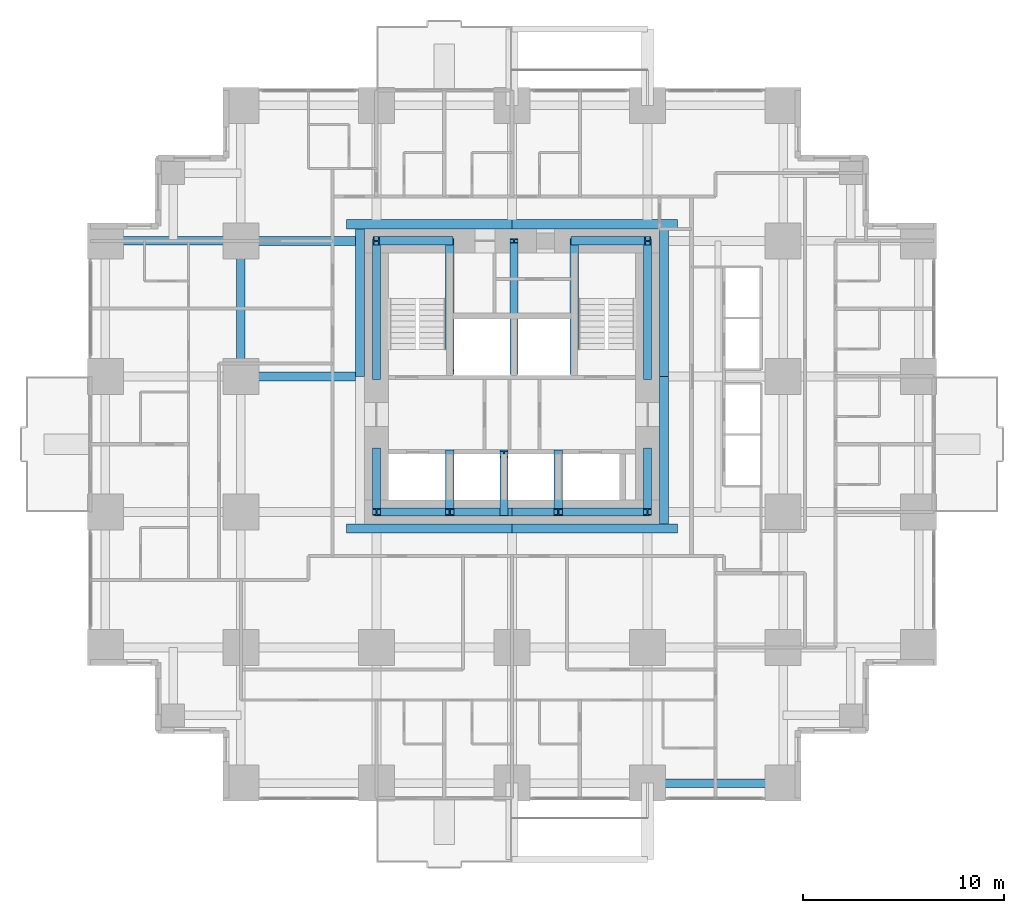
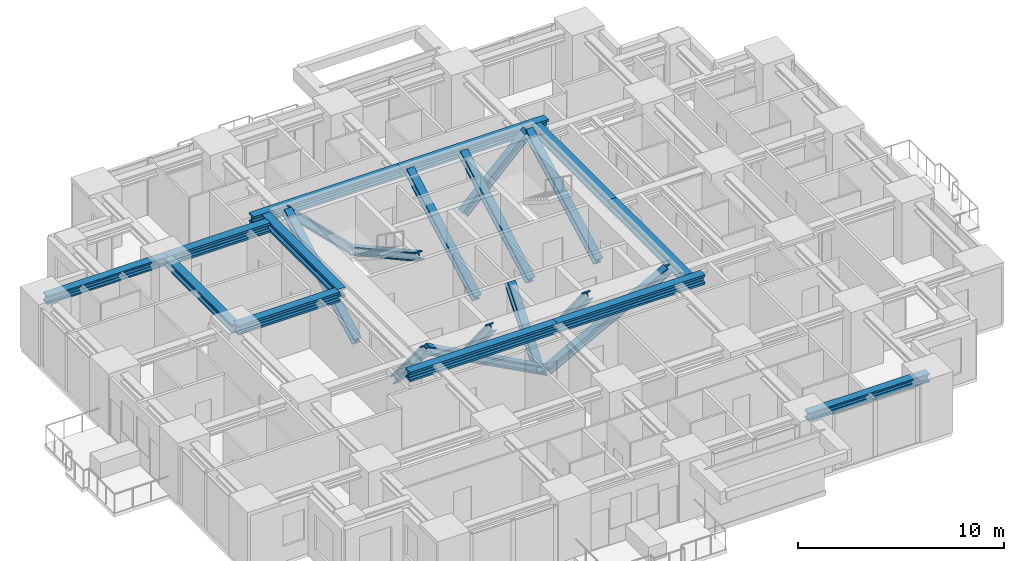
# One storey, part 3 of 13: 14 members, 12 beams.
"""IFC4 building model written with IfcOpenShell, lengths in metres."""

from ifc_helpers import new_model, si_unit, direction, frame, origin, origin_2d, place, context, subcontext, project, spatial, i_section, extrude, material, material_profile, profile_set, type_object, element, save


model = new_model("IFC4")

# Units and contexts
model_context = context("Model", 3, precision=1e-05, world=origin(), true_north=direction((0.0, 1.0)))
body_context = subcontext(model_context, "Body", "Model", "MODEL_VIEW")
ifc_project = project(units=[si_unit("LENGTHUNIT", "METRE"), si_unit("AREAUNIT", "SQUARE_METRE"), si_unit("VOLUMEUNIT", "CUBIC_METRE"), si_unit("PLANEANGLEUNIT", "RADIAN"), si_unit("MASSUNIT", "GRAM", prefix="KILO")], contexts=[model_context])

# Site, building, storey
site_placement = place(None, origin())
site = spatial("IfcSite", under=ifc_project, at=site_placement, CompositionType="ELEMENT")
building_placement = place(site_placement, origin())
building = spatial("IfcBuilding", under=site, at=building_placement, Name="Nyansa Garden Tower", CompositionType="ELEMENT")
storey_placement = place(building_placement, frame((0.0, 0.0, 101.699951171875)))
storey = spatial("IfcBuildingStorey", under=building, at=storey_placement, Name="L27", CompositionType="ELEMENT", Elevation=101.699951171875)

# Members
ifc_material_1 = material(Name="Steel S355", Category="steel")
ifc_material_profile_1 = material_profile(ifc_material_1, i_section(OverallWidth=0.41796875, OverallDepth=0.455078125, WebThickness=0.0419921875, FlangeThickness=0.067626953125, FilletRadius=0.014892578125, at=origin_2d()), Name="HD 400x463")
ifc_profile_set_1 = profile_set([ifc_material_profile_1], Name="Steel S355")
member_type = type_object("IfcMemberType", Name="Perimeter brace HD 400x463", PredefinedType="BRACE", material=ifc_profile_set_1)
for number, where, z_axis, x_axis, name in (
    (1, (20.25, 13.5, 0.0), (-0.882347640589, 0.0, 0.47059817376), (0.0, -1.0, 0.0), "Core brace CS1 L27"),
    (2, (20.25, 13.5, 0.0), (0.882347640589, 0.0, 0.47059817376), (0.0, 1.0, 0.0), "Core brace CS2 L27"),
):
    element("IfcMember", number, at=place(storey_placement, frame(where, z_axis=z_axis, x_axis=x_axis)), inside=storey, type_object=member_type, Name=name, PredefinedType="BRACE", context=body_context, shape_type="SweptSolid", body=[
        extrude(i_section(OverallWidth=0.41796875, OverallDepth=0.455078125, WebThickness=0.0419921875, FlangeThickness=0.067626953125, FilletRadius=0.014892578125, at=origin_2d()), origin(), (0.0, 0.0, 1.0), 7.650146484375),
    ])
for number, where, z_axis, x_axis, name in (
    (3, (17.14990234375, 27.0, 0.0), (-0.711947531702, 0.0, 0.702232662373), (0.0, -1.0, 0.0), "Core brace CN3 L27"),
    (4, (23.35009765625, 27.0, 0.0), (0.711947531702, 0.0, 0.702232662373), (0.0, 1.0, 0.0), "Core brace CN4 L27"),
):
    element("IfcMember", number, at=place(storey_placement, frame(where, z_axis=z_axis, x_axis=x_axis)), inside=storey, type_object=member_type, Name=name, PredefinedType="BRACE", context=body_context, shape_type="SweptSolid", body=[
        extrude(i_section(OverallWidth=0.41796875, OverallDepth=0.455078125, WebThickness=0.0419921875, FlangeThickness=0.067626953125, FilletRadius=0.014892578125, at=origin_2d()), origin(), (0.0, 0.0, 1.0), 5.126708984375),
    ])
member_1_placement = place(storey_placement, frame((13.5, 16.5, 0.0), z_axis=(0.0, -0.640174150918, 0.768229820104), x_axis=(1.0, 0.0, 0.0)))
element("IfcMember", 5, at=member_1_placement, inside=storey, type_object=member_type, Name="Core brace CW5 L27", PredefinedType="BRACE", context=body_context, shape_type="SweptSolid", body=[
    extrude(i_section(OverallWidth=0.41796875, OverallDepth=0.455078125, WebThickness=0.0419921875, FlangeThickness=0.067626953125, FilletRadius=0.014892578125, at=origin_2d()), origin(), (0.0, 0.0, 1.0), 4.686279296875),
])
member_2_placement = place(storey_placement, frame((13.5, 20.199951171875, 0.0), z_axis=(0.0, 0.883784057226, 0.467895009796), x_axis=(-1.0, 0.0, 0.0)))
element("IfcMember", 6, at=member_2_placement, inside=storey, type_object=member_type, Name="Core brace CW6 L27", PredefinedType="BRACE", context=body_context, shape_type="SweptSolid", body=[
    extrude(i_section(OverallWidth=0.41796875, OverallDepth=0.455078125, WebThickness=0.0419921875, FlangeThickness=0.067626953125, FilletRadius=0.014892578125, at=origin_2d()), origin(), (0.0, 0.0, 1.0), 7.6943359375),
])
member_3_placement = place(storey_placement, frame((27.0, 16.5, 0.0), z_axis=(0.0, -0.640174150918, 0.768229820104), x_axis=(1.0, 0.0, 0.0)))
element("IfcMember", 7, at=member_3_placement, inside=storey, type_object=member_type, Name="Core brace CE7 L27", PredefinedType="BRACE", context=body_context, shape_type="SweptSolid", body=[
    extrude(i_section(OverallWidth=0.41796875, OverallDepth=0.455078125, WebThickness=0.0419921875, FlangeThickness=0.067626953125, FilletRadius=0.014892578125, at=origin_2d()), origin(), (0.0, 0.0, 1.0), 4.686279296875),
])
member_4_placement = place(storey_placement, frame((27.0, 20.199951171875, 0.0), z_axis=(0.0, 0.883784057226, 0.467895009796), x_axis=(-1.0, 0.0, 0.0)))
element("IfcMember", 8, at=member_4_placement, inside=storey, type_object=member_type, Name="Core brace CE8 L27", PredefinedType="BRACE", context=body_context, shape_type="SweptSolid", body=[
    extrude(i_section(OverallWidth=0.41796875, OverallDepth=0.455078125, WebThickness=0.0419921875, FlangeThickness=0.067626953125, FilletRadius=0.014892578125, at=origin_2d()), origin(), (0.0, 0.0, 1.0), 7.6943359375),
])
for number, where, z_axis, x_axis, name in (
    (9, (17.14990234375, 27.0, 0.0), (0.0, -0.876353113771, 0.481669201822), (1.0, 0.0, 0.0), "Core brace CWS9 L27"),
    (10, (23.35009765625, 20.449951171875, 0.0), (0.0, 0.876353113771, 0.481669201822), (-1.0, 0.0, 0.0), "Core brace CES10 L27"),
):
    element("IfcMember", number, at=place(storey_placement, frame(where, z_axis=z_axis, x_axis=x_axis)), inside=storey, type_object=member_type, Name=name, PredefinedType="BRACE", context=body_context, shape_type="SweptSolid", body=[
        extrude(i_section(OverallWidth=0.41796875, OverallDepth=0.455078125, WebThickness=0.0419921875, FlangeThickness=0.067626953125, FilletRadius=0.014892578125, at=origin_2d()), origin(), (0.0, 0.0, 1.0), 7.47412109375),
    ])
for number, where, z_axis, x_axis, name in (
    (11, (17.14990234375, 16.39990234375, 0.0), (0.0, -0.627306405886, 0.778772542617), (1.0, 0.0, 0.0), "Core brace CSW11 L27"),
    (12, (19.85009765625, 13.5, 0.0), (0.0, 0.627306405886, 0.778772542617), (-1.0, 0.0, 0.0), "Core brace CSW12 L27"),
    (13, (22.550048828125, 16.39990234375, 0.0), (0.0, -0.627306405886, 0.778772542617), (1.0, 0.0, 0.0), "Core brace CSW13 L27"),
):
    element("IfcMember", number, at=place(storey_placement, frame(where, z_axis=z_axis, x_axis=x_axis)), inside=storey, type_object=member_type, Name=name, PredefinedType="BRACE", context=body_context, shape_type="SweptSolid", body=[
        extrude(i_section(OverallWidth=0.41796875, OverallDepth=0.455078125, WebThickness=0.0419921875, FlangeThickness=0.067626953125, FilletRadius=0.014892578125, at=origin_2d()), origin(), (0.0, 0.0, 1.0), 4.622802734375),
    ])
member_5_placement = place(storey_placement, frame((20.35009765625, 20.449951171875, 0.0), z_axis=(0.0, 0.876353113771, 0.481669201822), x_axis=(-1.0, 0.0, 0.0)))
element("IfcMember", 14, at=member_5_placement, inside=storey, type_object=member_type, Name="Core brace CNW14 L27", PredefinedType="BRACE", context=body_context, shape_type="SweptSolid", body=[
    extrude(i_section(OverallWidth=0.41796875, OverallDepth=0.455078125, WebThickness=0.0419921875, FlangeThickness=0.067626953125, FilletRadius=0.014892578125, at=origin_2d()), origin(), (0.0, 0.0, 1.0), 7.47412109375),
])

# Beams
ifc_material_2 = material(Name="Steel S355", Category="steel")
ifc_material_profile_2 = material_profile(ifc_material_2, i_section(OverallWidth=0.431884765625, OverallDepth=0.498046875, WebThickness=0.0556640625, FlangeThickness=0.0888671875, FilletRadius=0.014892578125, at=origin_2d()), Name="HD 400x744")
ifc_profile_set_2 = profile_set([ifc_material_profile_2], Name="Steel S355")
beam_type_1 = type_object("IfcBeamType", Name="Steel beam SBB1-744 HD 400x744", PredefinedType="BEAM", material=ifc_profile_set_2)
for number, where, z_axis, x_axis, name in (
    (15, (0.0, 27.0, 3.1259765625), (1.0, 0.0, 0.0), (0.0, 1.0, 0.0), "Steel beam 2/H-3/H L28"),
    (16, (6.75, 20.25, 3.1259765625), (0.0, 1.0, 0.0), (-1.0, 0.0, 0.0), "Steel beam 3/G-3/H L28"),
):
    element("IfcBeam", number, at=place(storey_placement, frame(where, z_axis=z_axis, x_axis=x_axis)), inside=storey, type_object=beam_type_1, Name=name, PredefinedType="BEAM", context=body_context, shape_type="SweptSolid", body=[
        extrude(i_section(OverallWidth=0.431884765625, OverallDepth=0.498046875, WebThickness=0.0556640625, FlangeThickness=0.0888671875, FilletRadius=0.014892578125, at=origin_2d()), origin(), (0.0, 0.0, 1.0), 6.75),
    ])
ifc_material_3 = material(Name="Steel S355", Category="steel")
ifc_material_profile_3 = material_profile(ifc_material_3, i_section(OverallWidth=0.4541015625, OverallDepth=0.569091796875, WebThickness=0.077880859375, FlangeThickness=0.125, FilletRadius=0.014892578125, at=origin_2d()), Name="HD 400x1086")
ifc_profile_set_3 = profile_set([ifc_material_profile_3], Name="Steel S355")
beam_type_2 = type_object("IfcBeamType", Name="Steel beam SCL-1086 HD 400x1086", PredefinedType="BEAM", material=ifc_profile_set_3)
for number, where, z_axis, x_axis, name in (
    (17, (6.75, 20.25, 3.090576171875), (1.0, 0.0, 0.0), (0.0, 1.0, 0.0), "Steel beam 3/G-12.450/G L28"),
    (18, (6.75, 27.0, 3.090576171875), (1.0, 0.0, 0.0), (0.0, 1.0, 0.0), "Steel beam 3/H-12.450/H L28"),
):
    element("IfcBeam", number, at=place(storey_placement, frame(where, z_axis=z_axis, x_axis=x_axis)), inside=storey, type_object=beam_type_2, Name=name, PredefinedType="BEAM", context=body_context, shape_type="SweptSolid", body=[
        extrude(i_section(OverallWidth=0.4541015625, OverallDepth=0.569091796875, WebThickness=0.077880859375, FlangeThickness=0.125, FilletRadius=0.014892578125, at=origin_2d()), origin(), (0.0, 0.0, 1.0), 5.699951171875),
    ])
for number, where, z_axis, x_axis, name in (
    (19, (12.0, 12.673095703125, 3.090576171875), (1.0, 0.0, 0.0), (0.0, 1.0, 0.0), "Steel core ledger beam S.1 L28"),
    (20, (20.25, 12.673095703125, 3.090576171875), (1.0, 0.0, 0.0), (0.0, 1.0, 0.0), "Steel core ledger beam S.2 L28"),
):
    element("IfcBeam", number, at=place(storey_placement, frame(where, z_axis=z_axis, x_axis=x_axis)), inside=storey, type_object=beam_type_2, Name=name, PredefinedType="BEAM", context=body_context, shape_type="SweptSolid", body=[
        extrude(i_section(OverallWidth=0.4541015625, OverallDepth=0.569091796875, WebThickness=0.077880859375, FlangeThickness=0.125, FilletRadius=0.014892578125, at=origin_2d()), origin(), (0.0, 0.0, 1.0), 8.25),
    ])
for number, where, z_axis, x_axis, name in (
    (21, (27.826904296875, 12.89990234375, 3.090576171875), (0.0, 1.0, 0.0), (-1.0, 0.0, 0.0), "Steel core ledger beam E.1 L28"),
    (22, (27.826904296875, 20.25, 3.090576171875), (0.0, 1.0, 0.0), (-1.0, 0.0, 0.0), "Steel core ledger beam E.2 L28"),
):
    element("IfcBeam", number, at=place(storey_placement, frame(where, z_axis=z_axis, x_axis=x_axis)), inside=storey, type_object=beam_type_2, Name=name, PredefinedType="BEAM", context=body_context, shape_type="SweptSolid", body=[
        extrude(i_section(OverallWidth=0.4541015625, OverallDepth=0.569091796875, WebThickness=0.077880859375, FlangeThickness=0.125, FilletRadius=0.014892578125, at=origin_2d()), origin(), (0.0, 0.0, 1.0), 7.35009765625),
    ])
for number, where, z_axis, x_axis, name in (
    (23, (28.5, 27.826904296875, 3.090576171875), (-1.0, 0.0, 0.0), (0.0, -1.0, 0.0), "Steel core ledger beam N.1 L28"),
    (24, (20.25, 27.826904296875, 3.090576171875), (-1.0, 0.0, 0.0), (0.0, -1.0, 0.0), "Steel core ledger beam N.2 L28"),
):
    element("IfcBeam", number, at=place(storey_placement, frame(where, z_axis=z_axis, x_axis=x_axis)), inside=storey, type_object=beam_type_2, Name=name, PredefinedType="BEAM", context=body_context, shape_type="SweptSolid", body=[
        extrude(i_section(OverallWidth=0.4541015625, OverallDepth=0.569091796875, WebThickness=0.077880859375, FlangeThickness=0.125, FilletRadius=0.014892578125, at=origin_2d()), origin(), (0.0, 0.0, 1.0), 8.25),
    ])
beam_1_placement = place(storey_placement, frame((12.673095703125, 27.60009765625, 3.090576171875), z_axis=(0.0, -1.0, 0.0), x_axis=(1.0, 0.0, 0.0)))
element("IfcBeam", 25, at=beam_1_placement, inside=storey, type_object=beam_type_2, Name="Steel core ledger beam W.1 L28", PredefinedType="BEAM", context=body_context, shape_type="SweptSolid", body=[
    extrude(i_section(OverallWidth=0.4541015625, OverallDepth=0.569091796875, WebThickness=0.077880859375, FlangeThickness=0.125, FilletRadius=0.014892578125, at=origin_2d()), origin(), (0.0, 0.0, 1.0), 7.35009765625),
])
ifc_material_4 = material(Name="Steel S355", Category="steel")
ifc_material_profile_4 = material_profile(ifc_material_4, i_section(OverallWidth=0.431884765625, OverallDepth=0.498046875, WebThickness=0.0556640625, FlangeThickness=0.0888671875, FilletRadius=0.014892578125, at=origin_2d()), Name="HD 400x744")
ifc_profile_set_4 = profile_set([ifc_material_profile_4], Name="Steel S355")
beam_type_3 = type_object("IfcBeamType", Name="Steel beam SEBB-744 HD 400x744", PredefinedType="BEAM", material=ifc_profile_set_4)
beam_2_placement = place(storey_placement, frame((27.0, 0.0, 3.1259765625), z_axis=(1.0, 0.0, 0.0), x_axis=(0.0, 1.0, 0.0)))
element("IfcBeam", 26, at=beam_2_placement, inside=storey, type_object=beam_type_3, Name="Steel edge beam 6/D-7/D L28", PredefinedType="BEAM", context=body_context, shape_type="SweptSolid", body=[
    extrude(i_section(OverallWidth=0.431884765625, OverallDepth=0.498046875, WebThickness=0.0556640625, FlangeThickness=0.0888671875, FilletRadius=0.014892578125, at=origin_2d()), origin(), (0.0, 0.0, 1.0), 6.75),
])

save(model, "model.ifc")
